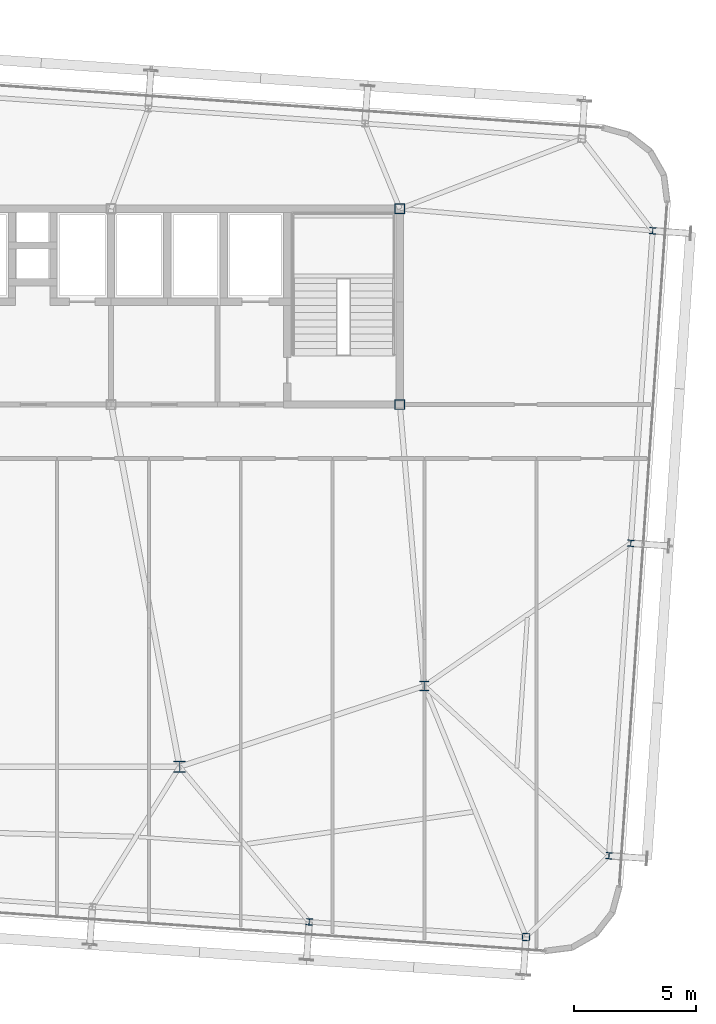
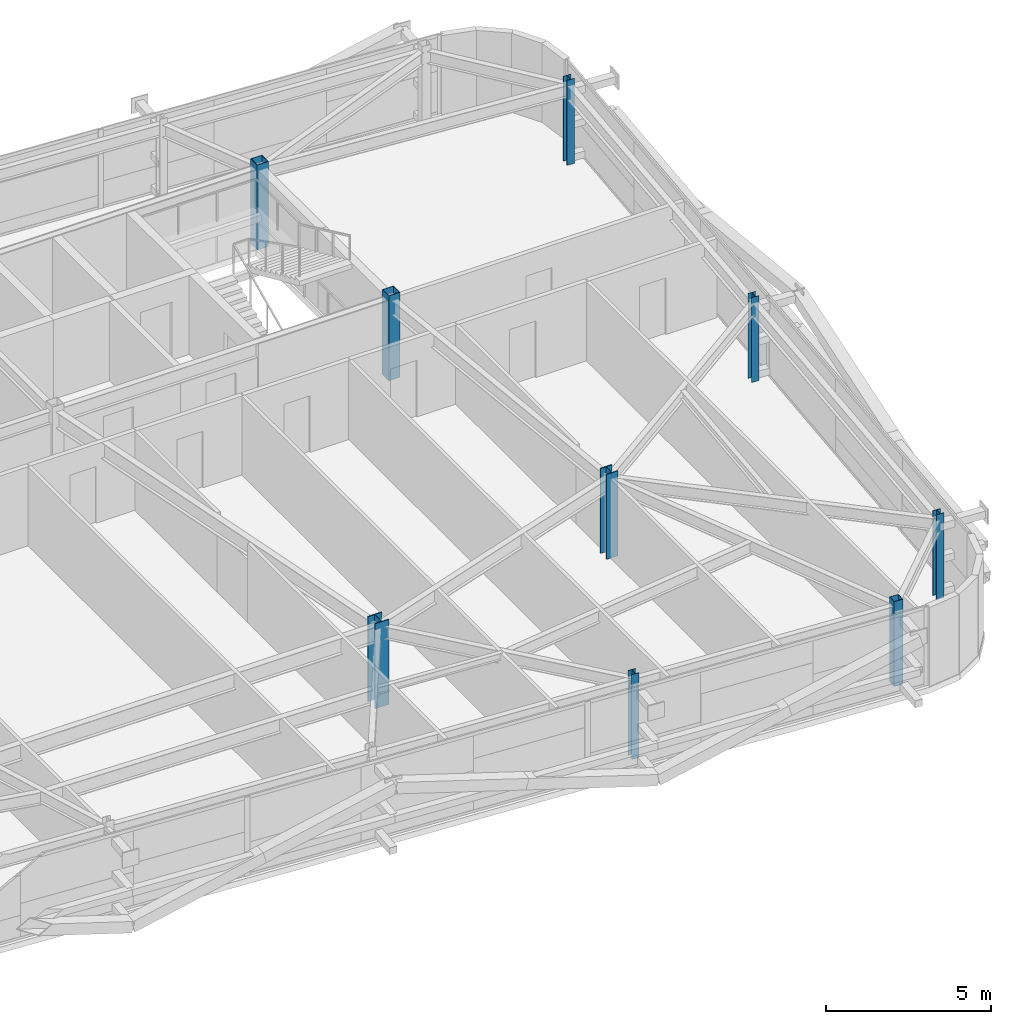
# One storey, part 3 of 39: 9 columns.
"""IFC4 building model written with IfcOpenShell, lengths in metres."""

from ifc_helpers import new_model, si_unit, direction, frame, origin, origin_2d, place, context, subcontext, project, spatial, hollow_rectangle, i_section, extrude, source, transform, mapped, material, material_profile, profile_set, type_object, element, save


model = new_model("IFC4")

# Units and contexts
model_context = context("Model", 3, precision=1e-05, world=origin(), true_north=direction((0.0, 1.0)))
body_context = subcontext(model_context, "Body", "Model", "MODEL_VIEW")
ifc_project = project(units=[si_unit("LENGTHUNIT", "METRE"), si_unit("AREAUNIT", "SQUARE_METRE"), si_unit("VOLUMEUNIT", "CUBIC_METRE"), si_unit("PLANEANGLEUNIT", "RADIAN"), si_unit("MASSUNIT", "GRAM", prefix="KILO")], contexts=[model_context])

# Site, building, storey
site_placement = place(None, origin())
site = spatial("IfcSite", under=ifc_project, at=site_placement, CompositionType="ELEMENT")
building_placement = place(site_placement, origin())
building = spatial("IfcBuilding", under=site, at=building_placement, Name="Taldren Reach Tower", CompositionType="ELEMENT")
storey_placement = place(building_placement, frame((0.0, 0.0, 133.0)))
storey = spatial("IfcBuildingStorey", under=building, at=storey_placement, Name="L40", CompositionType="ELEMENT", Elevation=133.0)

# Columns
ifc_material_1 = material(Name="Steel Gr 350 (350PLUS)", Category="steel")
ifc_material_profile_1 = material_profile(ifc_material_1, i_section(OverallWidth=0.39990234375, OverallDepth=0.39599609375, WebThickness=0.02197265625, FlangeThickness=0.033935546875, at=origin_2d()), Name="400WC270")
ifc_profile_set_1 = profile_set([ifc_material_profile_1], Name="Steel Gr 350 (350PLUS)")
column_type_1 = type_object("IfcColumnType", Name="COL-WC400", PredefinedType="COLUMN", material=ifc_profile_set_1)
shared_shape_1 = source(origin(), body_context, "Body", "SweptSolid", [
    extrude(i_section(OverallWidth=0.39990234375, OverallDepth=0.39599609375, WebThickness=0.02197265625, FlangeThickness=0.033935546875, at=origin_2d()), origin(), (0.0, 0.0, 1.0), 3.14990234375),
])
column_1_placement = place(storey_placement, frame((52.0, 12.5, 0.0), z_axis=(0.0, 0.0, 1.0), x_axis=(1.0, 0.0, 0.0)))
element("IfcColumn", 1, at=column_1_placement, inside=storey, type_object=column_type_1, Name="Mega column MC-SE L40", PredefinedType="COLUMN", context=body_context, shape_type="MappedRepresentation", body=[
    mapped(shared_shape_1, transform((0.0, 0.0, 0.0), scale=1.0)),
])
ifc_material_profile_2 = material_profile(ifc_material_1, i_section(OverallWidth=0.5, OverallDepth=0.464111328125, WebThickness=0.02197265625, FlangeThickness=0.033935546875, at=origin_2d()), Name="500WC340")
ifc_profile_set_2 = profile_set([ifc_material_profile_2], Name="Steel Gr 350 (350PLUS)")
column_type_2 = type_object("IfcColumnType", Name="COL-WC500B", PredefinedType="COLUMN", material=ifc_profile_set_2)
shared_shape_2 = source(origin(), body_context, "Body", "SweptSolid", [
    extrude(i_section(OverallWidth=0.5, OverallDepth=0.464111328125, WebThickness=0.02197265625, FlangeThickness=0.033935546875, at=origin_2d()), origin(), (0.0, 0.0, 1.0), 3.14990234375),
])
column_2_placement = place(storey_placement, frame((42.0, 9.199951171875, 0.0), z_axis=(0.0, 0.0, 1.0), x_axis=(1.0, 0.0, 0.0)))
element("IfcColumn", 2, at=column_2_placement, inside=storey, type_object=column_type_2, Name="Mega column MC-PJE L40", PredefinedType="COLUMN", context=body_context, shape_type="MappedRepresentation", body=[
    mapped(shared_shape_2, transform((0.0, 0.0, 0.0), scale=1.0)),
])
ifc_material_2 = material(Name="Steel Gr 450 (C450L0)", Category="steel")
ifc_material_profile_3 = material_profile(ifc_material_2, hollow_rectangle(XDim=0.39990234375, YDim=0.39990234375, WallThickness=0.01611328125, at=origin_2d()), Name="400x400x16.0SHS")
ifc_profile_set_3 = profile_set([ifc_material_profile_3], Name="Steel Gr 450 (C450L0)")
column_type_3 = type_object("IfcColumnType", Name="COL-SHS400", PredefinedType="COLUMN", material=ifc_profile_set_3)
shared_shape_3 = source(origin(), body_context, "Body", "SweptSolid", [
    extrude(hollow_rectangle(XDim=0.39990234375, YDim=0.39990234375, WallThickness=0.01611328125, at=origin_2d()), origin(), (0.0, 0.0, 1.0), 3.14990234375),
])
for number, where, z_axis, x_axis, name in (
    (3, (51.0, 24.0, 0.0), (0.0, 0.0, 1.0), (1.0, 0.0, 0.0), "Mega column MC-C4 L40"),
    (4, (51.0, 32.0, 0.0), (0.0, 0.0, 1.0), (1.0, 0.0, 0.0), "Mega column MC-C8 L40"),
):
    element("IfcColumn", number, at=place(storey_placement, frame(where, z_axis=z_axis, x_axis=x_axis)), inside=storey, type_object=column_type_3, Name=name, PredefinedType="COLUMN", context=body_context, shape_type="MappedRepresentation", body=[
        mapped(shared_shape_3, transform((0.0, 0.0, 0.0), scale=1.0)),
    ])
ifc_material_profile_4 = material_profile(ifc_material_2, hollow_rectangle(XDim=0.300048828125, YDim=0.300048828125, WallThickness=0.012451171875, at=origin_2d()), Name="300x300x12.5SHS")
ifc_profile_set_4 = profile_set([ifc_material_profile_4], Name="Steel Gr 450 (C450L0)")
column_type_4 = type_object("IfcColumnType", Name="COL-SHS300", PredefinedType="COLUMN", material=ifc_profile_set_4)
shared_shape_4 = source(origin(), body_context, "Body", "SweptSolid", [
    extrude(hollow_rectangle(XDim=0.300048828125, YDim=0.300048828125, WallThickness=0.012451171875, at=origin_2d()), origin(), (0.0, 0.0, 1.0), 3.14990234375),
])
column_3_placement = place(storey_placement, frame((56.155517578125, 2.2412109375, 0.0), z_axis=(0.0, 0.0, 1.0), x_axis=(0.99756405026, -0.069756473744, 0.0)))
element("IfcColumn", 5, at=column_3_placement, inside=storey, type_object=column_type_4, Name="Block B3 perimeter column S6 L40", PredefinedType="COLUMN", context=body_context, shape_type="MappedRepresentation", body=[
    mapped(shared_shape_4, transform((0.0, 0.0, 0.0), scale=1.0)),
])
ifc_material_profile_5 = material_profile(ifc_material_1, i_section(OverallWidth=0.256103515625, OverallDepth=0.260009765625, WebThickness=0.010498046875, FlangeThickness=0.017333984375, at=origin_2d()), Name="250UC89.5")
ifc_profile_set_5 = profile_set([ifc_material_profile_5], Name="Steel Gr 350 (350PLUS)")
column_type_5 = type_object("IfcColumnType", Name="COL-UC250", PredefinedType="COLUMN", material=ifc_profile_set_5)
shared_shape_5 = source(origin(), body_context, "Body", "SweptSolid", [
    extrude(i_section(OverallWidth=0.256103515625, OverallDepth=0.260009765625, WebThickness=0.010498046875, FlangeThickness=0.017333984375, at=origin_2d()), origin(), (0.0, 0.0, 1.0), 3.14990234375),
])
for number, where, z_axis, x_axis, name in (
    (6, (47.297119140625, 2.860595703125, 0.0), (0.0, 0.0, 1.0), (0.99756405026, -0.069756473744, 0.0), "Block B3 perimeter column S5 L40"),
    (7, (59.54541015625, 5.562744140625, 0.0), (0.0, 0.0, 1.0), (0.99756405026, -0.069756473744, 0.0), "Block B3 perimeter column E1 L40"),
    (8, (60.438232421875, 18.331787109375, 0.0), (0.0, 0.0, 1.0), (0.99756405026, -0.069756473744, 0.0), "Block B3 perimeter column E2 L40"),
    (9, (61.3310546875, 31.1005859375, 0.0), (0.0, 0.0, 1.0), (0.99756405026, -0.069756473744, 0.0), "Block B3 perimeter column E3 L40"),
):
    element("IfcColumn", number, at=place(storey_placement, frame(where, z_axis=z_axis, x_axis=x_axis)), inside=storey, type_object=column_type_5, Name=name, PredefinedType="COLUMN", context=body_context, shape_type="MappedRepresentation", body=[
        mapped(shared_shape_5, transform((0.0, 0.0, 0.0), scale=1.0)),
    ])

save(model, "model.ifc")
